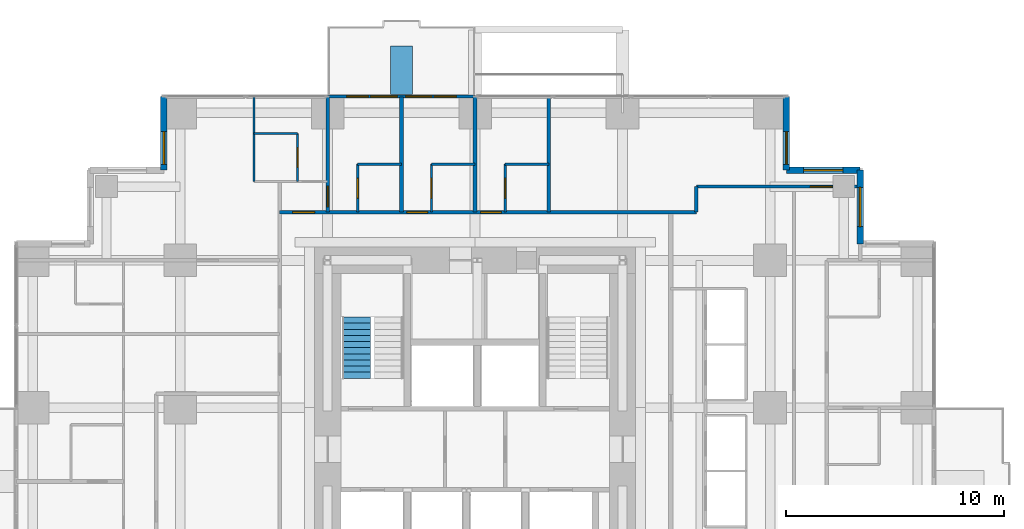
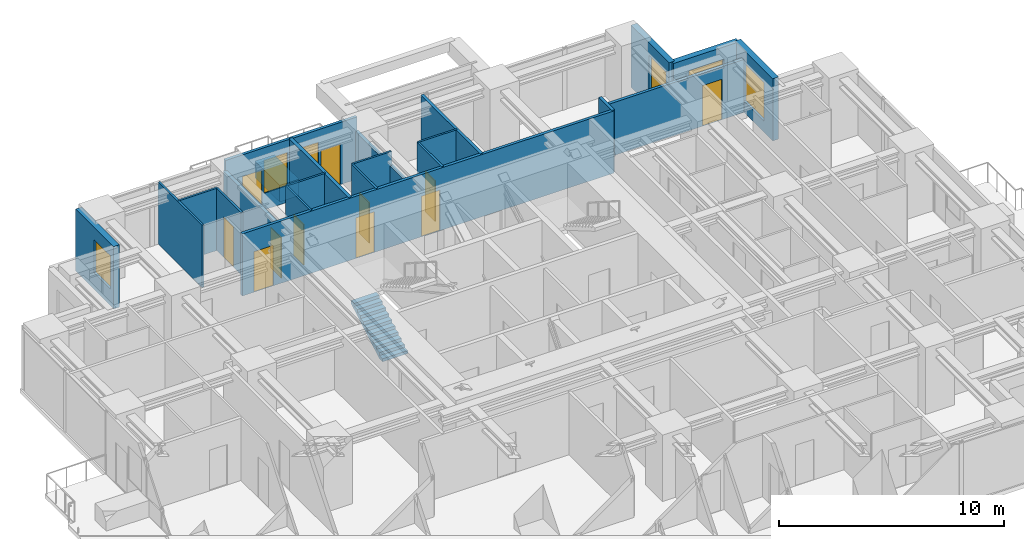
# One storey, part 11 of 13: 22 walls, 11 doors, 6 windows, 1 stair flight, 17 openings, 1 element without a shape of its own.
"""IFC4 building model written with IfcOpenShell, lengths in metres."""

from ifc_helpers import new_model, si_unit, direction, frame, frame_2d, origin, place, context, subcontext, project, spatial, polyline, rectangle, outline, extrude, material, layer, layer_set, type_object, element, fill, aggregate, save


model = new_model("IFC4")

# Units and contexts
model_context = context("Model", 3, precision=1e-05, world=origin(), true_north=direction((0.0, 1.0)))
body_context = subcontext(model_context, "Body", "Model", "MODEL_VIEW")
ifc_project = project(units=[si_unit("LENGTHUNIT", "METRE"), si_unit("AREAUNIT", "SQUARE_METRE"), si_unit("VOLUMEUNIT", "CUBIC_METRE"), si_unit("PLANEANGLEUNIT", "RADIAN"), si_unit("MASSUNIT", "GRAM", prefix="KILO")], contexts=[model_context])

# Site, building, storey
site_placement = place(None, origin())
site = spatial("IfcSite", under=ifc_project, at=site_placement, CompositionType="ELEMENT")
building_placement = place(site_placement, origin())
building = spatial("IfcBuilding", under=site, at=building_placement, Name="Nyansa Garden Tower", CompositionType="ELEMENT")
storey_placement = place(building_placement, frame((0.0, 0.0, 116.10009765625)))
storey = spatial("IfcBuildingStorey", under=building, at=storey_placement, Name="L31", CompositionType="ELEMENT", Elevation=116.10009765625)

# Wall, opening, door
ifc_material_1 = material(Name="Dense blockwork, plastered both sides, 55 dB", Category="masonry")
ifc_layer_1 = layer(ifc_material_1, 0.175048828125)
ifc_layer_set_1 = layer_set([ifc_layer_1], Name="Acoustic party wall PW175")
wall_type_1 = type_object("IfcWallType", Name="Acoustic party wall PW175", PredefinedType="PARTITIONING", material=ifc_layer_set_1)
wall_1_placement = place(storey_placement, frame((13.5, 29.199951171875, 0.0), z_axis=(0.0, 0.0, 1.0), x_axis=(0.0, 1.0, 0.0)))
wall_1 = element("IfcWall", 1, at=wall_1_placement, inside=storey, type_object=wall_type_1, Name="Party wall", PredefinedType="PARTITIONING", context=body_context, shape_type="SweptSolid", body=[
    extrude(rectangle(XDim=5.283935546875, YDim=0.175048828125, at=frame_2d((2.64208984375, 0.0))), origin(), (0.0, 0.0, 1.0), 2.805908203125),
])
opening_1_placement = place(wall_1_placement, frame((0.25, 0.0, 0.0)))
opening_1 = element("IfcOpeningElement", 2, at=opening_1_placement, cuts=wall_1, Name="Opening D14", PredefinedType="OPENING", context=body_context, shape_type="SweptSolid", body=[
    extrude(rectangle(XDim=0.949951171875, YDim=2.199951171875, at=frame_2d((0.47509765625, 1.10009765625))), frame((0.0, 0.097412109375, 0.0), z_axis=(0.0, -1.0, 0.0), x_axis=(1.0, 0.0, 0.0)), (0.0, 0.0, 1.0), 0.195068359375),
])
ifc_material_2 = material(Name="Timber flush door, 60 minute fire resisting, self-closing", Category="wood")
door_type_1 = type_object("IfcDoorType", Name="Studio entrance door D14 950x2200", OperationType="SINGLE_SWING_LEFT", PredefinedType="DOOR", material=ifc_material_2)
door_1_placement = place(opening_1_placement, origin())
door_1 = element("IfcDoor", 3, at=door_1_placement, inside=storey, type_object=door_type_1, Name="Door L31-047", OperationType="SINGLE_SWING_LEFT", OverallHeight=2.199951171875, OverallWidth=0.949951171875, PredefinedType="DOOR", context=body_context, shape_type="SweptSolid", body=[
    extrude(rectangle(XDim=0.949951171875, YDim=2.199951171875, at=frame_2d((0.47509765625, 1.10009765625))), frame((0.0, 0.02490234375, 0.0), z_axis=(0.0, -1.0, 0.0), x_axis=(1.0, 0.0, 0.0)), (0.0, 0.0, 1.0), 0.050048828125),
])
fill(opening_1, door_1)

# Walls
wall_2_placement = place(storey_placement, frame((16.875, 29.199951171875, 0.0), z_axis=(0.0, 0.0, 1.0), x_axis=(0.0, 1.0, 0.0)))
element("IfcWall", 4, at=wall_2_placement, inside=storey, type_object=wall_type_1, Name="Party wall", PredefinedType="PARTITIONING", context=body_context, shape_type="SweptSolid", body=[
    extrude(rectangle(XDim=5.283935546875, YDim=0.175048828125, at=frame_2d((2.64208984375, 0.0))), origin(), (0.0, 0.0, 1.0), 3.375),
])
wall_3_placement = place(storey_placement, frame((20.25, 29.199951171875, 0.0), z_axis=(0.0, 0.0, 1.0), x_axis=(0.0, 1.0, 0.0)))
element("IfcWall", 5, at=wall_3_placement, inside=storey, type_object=wall_type_1, Name="Party wall", PredefinedType="PARTITIONING", context=body_context, shape_type="SweptSolid", body=[
    extrude(rectangle(XDim=5.283935546875, YDim=0.175048828125, at=frame_2d((2.64208984375, 0.0))), origin(), (0.0, 0.0, 1.0), 2.60986328125),
])

# Wall, openings, doors, windows
ifc_material_3 = material(Name="Black aluminium framed glazed screen", Category="aluminium")
ifc_layer_2 = layer(ifc_material_3, 0.14990234375)
ifc_layer_set_2 = layer_set([ifc_layer_2], Name="Balcony screen wall BW150")
wall_type_2 = type_object("IfcWallType", Name="Balcony screen wall BW150", PredefinedType="SOLIDWALL", material=ifc_layer_set_2)
wall_4_placement = place(storey_placement, frame((13.5, 34.5, 0.0), z_axis=(0.0, 0.0, 1.0), x_axis=(1.0, 0.0, 0.0)))
wall_4 = element("IfcWall", 6, at=wall_4_placement, inside=storey, type_object=wall_type_2, Name="Glazed screen wall L31 N", PredefinedType="SOLIDWALL", context=body_context, shape_type="SweptSolid", body=[
    extrude(rectangle(XDim=6.75, YDim=0.14990234375, at=frame_2d((3.375, 0.0))), origin(), (0.0, 0.0, 1.0), 3.375),
])
opening_2_placement = place(wall_4_placement, frame((0.862548828125, 0.0, 0.0)))
opening_2 = element("IfcOpeningElement", 7, at=opening_2_placement, cuts=wall_4, Name="Opening D20", PredefinedType="OPENING", context=body_context, shape_type="SweptSolid", body=[
    extrude(rectangle(XDim=1.0, YDim=2.199951171875, at=frame_2d((0.5, 1.10009765625))), frame((0.0, 0.0849609375, 0.0), z_axis=(0.0, -1.0, 0.0), x_axis=(1.0, 0.0, 0.0)), (0.0, 0.0, 1.0), 0.169921875),
])
opening_3_placement = place(wall_4_placement, frame((1.97509765625, 0.0, 0.89990234375)))
opening_3 = element("IfcOpeningElement", 8, at=opening_3_placement, cuts=wall_4, Name="Opening W6", PredefinedType="OPENING", context=body_context, shape_type="SweptSolid", body=[
    extrude(rectangle(XDim=1.199951171875, YDim=1.800048828125, at=frame_2d((0.60009765625, 0.89990234375))), frame((0.0, 0.0849609375, 0.0), z_axis=(0.0, -1.0, 0.0), x_axis=(1.0, 0.0, 0.0)), (0.0, 0.0, 1.0), 0.169921875),
])
opening_4_placement = place(wall_4_placement, frame((4.887451171875, 0.0, 0.0)))
opening_4 = element("IfcOpeningElement", 9, at=opening_4_placement, cuts=wall_4, Name="Opening D20", PredefinedType="OPENING", context=body_context, shape_type="SweptSolid", body=[
    extrude(rectangle(XDim=1.0, YDim=2.199951171875, at=frame_2d((0.5, 1.10009765625))), frame((0.0, 0.0849609375, 0.0), z_axis=(0.0, -1.0, 0.0), x_axis=(1.0, 0.0, 0.0)), (0.0, 0.0, 1.0), 0.169921875),
])
opening_5_placement = place(wall_4_placement, frame((3.574951171875, 0.0, 0.89990234375)))
opening_5 = element("IfcOpeningElement", 10, at=opening_5_placement, cuts=wall_4, Name="Opening W6", PredefinedType="OPENING", context=body_context, shape_type="SweptSolid", body=[
    extrude(rectangle(XDim=1.199951171875, YDim=1.800048828125, at=frame_2d((0.60009765625, 0.89990234375))), frame((0.0, 0.0849609375, 0.0), z_axis=(0.0, -1.0, 0.0), x_axis=(1.0, 0.0, 0.0)), (0.0, 0.0, 1.0), 0.169921875),
])
ifc_material_4 = material(Name="Black aluminium framed glazed door", Category="aluminium")
door_type_2 = type_object("IfcDoorType", Name="Balcony door D20 1000x2200", OperationType="NOTDEFINED", PredefinedType="DOOR", material=ifc_material_4)
door_2_placement = place(opening_2_placement, origin())
door_2 = element("IfcDoor", 11, at=door_2_placement, inside=storey, type_object=door_type_2, Name="Balcony door L31", OperationType="SINGLE_SWING_LEFT", OverallHeight=2.199951171875, OverallWidth=1.0, PredefinedType="DOOR", context=body_context, shape_type="SweptSolid", body=[
    extrude(rectangle(XDim=1.0, YDim=2.199951171875, at=frame_2d((0.5, 1.10009765625))), frame((0.0, 0.02490234375, 0.0), z_axis=(0.0, -1.0, 0.0), x_axis=(1.0, 0.0, 0.0)), (0.0, 0.0, 1.0), 0.050048828125),
])
fill(opening_2, door_2)
door_3_placement = place(opening_4_placement, origin())
door_3 = element("IfcDoor", 12, at=door_3_placement, inside=storey, type_object=door_type_2, Name="Balcony door L31", OperationType="SINGLE_SWING_RIGHT", OverallHeight=2.199951171875, OverallWidth=1.0, PredefinedType="DOOR", context=body_context, shape_type="SweptSolid", body=[
    extrude(rectangle(XDim=1.0, YDim=2.199951171875, at=frame_2d((0.5, 1.10009765625))), frame((0.0, 0.02490234375, 0.0), z_axis=(0.0, -1.0, 0.0), x_axis=(1.0, 0.0, 0.0)), (0.0, 0.0, 1.0), 0.050048828125),
])
fill(opening_4, door_3)
ifc_material_5 = material(Name="Black aluminium frame, dark tinted double glazing", Category="aluminium")
window_type_1 = type_object("IfcWindowType", Name="Balcony window W6 1200x1800", PartitioningType="SINGLE_PANEL", PredefinedType="WINDOW", material=ifc_material_5)
window_1_placement = place(opening_3_placement, origin())
window_1 = element("IfcWindow", 13, at=window_1_placement, inside=storey, type_object=window_type_1, Name="Window L31", OverallHeight=1.800048828125, OverallWidth=1.199951171875, PartitioningType="SINGLE_PANEL", PredefinedType="WINDOW", context=body_context, shape_type="SweptSolid", body=[
    extrude(rectangle(XDim=1.199951171875, YDim=1.800048828125, at=frame_2d((0.60009765625, 0.89990234375))), frame((0.0, 0.030029296875, 0.0), z_axis=(0.0, -1.0, 0.0), x_axis=(1.0, 0.0, 0.0)), (0.0, 0.0, 1.0), 0.06005859375),
])
fill(opening_3, window_1)
window_2_placement = place(opening_5_placement, origin())
window_2 = element("IfcWindow", 14, at=window_2_placement, inside=storey, type_object=window_type_1, Name="Window L31", OverallHeight=1.800048828125, OverallWidth=1.199951171875, PartitioningType="SINGLE_PANEL", PredefinedType="WINDOW", context=body_context, shape_type="SweptSolid", body=[
    extrude(rectangle(XDim=1.199951171875, YDim=1.800048828125, at=frame_2d((0.60009765625, 0.89990234375))), frame((0.0, 0.030029296875, 0.0), z_axis=(0.0, -1.0, 0.0), x_axis=(1.0, 0.0, 0.0)), (0.0, 0.0, 1.0), 0.06005859375),
])
fill(opening_5, window_2)

# Wall, openings, doors
ifc_material_6 = material(Name="Blockwork, plastered both sides", Category="masonry")
ifc_layer_3 = layer(ifc_material_6, 0.14990234375)
ifc_layer_set_3 = layer_set([ifc_layer_3], Name="Partition PW150")
wall_type_3 = type_object("IfcWallType", Name="Partition PW150", PredefinedType="PARTITIONING", material=ifc_layer_set_3)
wall_5_placement = place(storey_placement, frame((11.300048828125, 29.199951171875, 0.0), z_axis=(0.0, 0.0, 1.0), x_axis=(1.0, 0.0, 0.0)))
wall_5 = element("IfcWall", 15, at=wall_5_placement, inside=storey, type_object=wall_type_3, Name="Partition", PredefinedType="PARTITIONING", context=body_context, shape_type="SweptSolid", body=[
    extrude(rectangle(XDim=19.074951171875, YDim=0.14990234375, at=frame_2d((9.53759765625, 0.0))), origin(), (0.0, 0.0, 1.0), 3.375),
])
opening_6_placement = place(wall_5_placement, frame((5.824951171875, 0.0, 0.0)))
opening_6 = element("IfcOpeningElement", 16, at=opening_6_placement, cuts=wall_5, Name="Opening D14", PredefinedType="OPENING", context=body_context, shape_type="SweptSolid", body=[
    extrude(rectangle(XDim=0.949951171875, YDim=2.199951171875, at=frame_2d((0.47509765625, 1.10009765625))), frame((0.0, 0.0849609375, 0.0), z_axis=(0.0, -1.0, 0.0), x_axis=(1.0, 0.0, 0.0)), (0.0, 0.0, 1.0), 0.169921875),
])
opening_7_placement = place(wall_5_placement, frame((9.199951171875, 0.0, 0.0)))
opening_7 = element("IfcOpeningElement", 17, at=opening_7_placement, cuts=wall_5, Name="Opening D14", PredefinedType="OPENING", context=body_context, shape_type="SweptSolid", body=[
    extrude(rectangle(XDim=0.949951171875, YDim=2.199951171875, at=frame_2d((0.47509765625, 1.10009765625))), frame((0.0, 0.0849609375, 0.0), z_axis=(0.0, -1.0, 0.0), x_axis=(1.0, 0.0, 0.0)), (0.0, 0.0, 1.0), 0.169921875),
])
opening_8_placement = place(wall_5_placement, frame((0.60009765625, 0.0, 0.0)))
opening_8 = element("IfcOpeningElement", 18, at=opening_8_placement, cuts=wall_5, Name="Opening D03", PredefinedType="OPENING", context=body_context, shape_type="SweptSolid", body=[
    extrude(rectangle(XDim=1.0, YDim=2.199951171875, at=frame_2d((0.5, 1.10009765625))), frame((0.0, 0.0849609375, 0.0), z_axis=(0.0, -1.0, 0.0), x_axis=(1.0, 0.0, 0.0)), (0.0, 0.0, 1.0), 0.169921875),
])
ifc_material_7 = material(Name="Timber flush door, 60 minute fire resisting", Category="wood")
door_type_3 = type_object("IfcDoorType", Name="Cluster entrance door D03 1000x2200", OperationType="SINGLE_SWING_LEFT", PredefinedType="DOOR", material=ifc_material_7)
door_4_placement = place(opening_8_placement, origin())
door_4 = element("IfcDoor", 19, at=door_4_placement, inside=storey, type_object=door_type_3, Name="Door L31-053", OperationType="SINGLE_SWING_LEFT", OverallHeight=2.199951171875, OverallWidth=1.0, PredefinedType="DOOR", context=body_context, shape_type="SweptSolid", body=[
    extrude(rectangle(XDim=1.0, YDim=2.199951171875, at=frame_2d((0.5, 1.10009765625))), frame((0.0, 0.02490234375, 0.0), z_axis=(0.0, -1.0, 0.0), x_axis=(1.0, 0.0, 0.0)), (0.0, 0.0, 1.0), 0.050048828125),
])
fill(opening_8, door_4)
door_5_placement = place(opening_6_placement, origin())
door_5 = element("IfcDoor", 20, at=door_5_placement, inside=storey, type_object=door_type_1, Name="Door L31-049", OperationType="SINGLE_SWING_LEFT", OverallHeight=2.199951171875, OverallWidth=0.949951171875, PredefinedType="DOOR", context=body_context, shape_type="SweptSolid", body=[
    extrude(rectangle(XDim=0.949951171875, YDim=2.199951171875, at=frame_2d((0.47509765625, 1.10009765625))), frame((0.0, 0.02490234375, 0.0), z_axis=(0.0, -1.0, 0.0), x_axis=(1.0, 0.0, 0.0)), (0.0, 0.0, 1.0), 0.050048828125),
])
fill(opening_6, door_5)
door_6_placement = place(opening_7_placement, origin())
door_6 = element("IfcDoor", 21, at=door_6_placement, inside=storey, type_object=door_type_1, Name="Door L31-051", OperationType="SINGLE_SWING_LEFT", OverallHeight=2.199951171875, OverallWidth=0.949951171875, PredefinedType="DOOR", context=body_context, shape_type="SweptSolid", body=[
    extrude(rectangle(XDim=0.949951171875, YDim=2.199951171875, at=frame_2d((0.47509765625, 1.10009765625))), frame((0.0, 0.02490234375, 0.0), z_axis=(0.0, -1.0, 0.0), x_axis=(1.0, 0.0, 0.0)), (0.0, 0.0, 1.0), 0.050048828125),
])
fill(opening_7, door_6)

# Walls
wall_6_placement = place(storey_placement, frame((23.625, 29.199951171875, 0.0), z_axis=(0.0, 0.0, 1.0), x_axis=(0.0, 1.0, 0.0)))
element("IfcWall", 22, at=wall_6_placement, inside=storey, type_object=wall_type_3, Name="Partition", PredefinedType="PARTITIONING", context=body_context, shape_type="SweptSolid", body=[
    extrude(rectangle(XDim=5.283935546875, YDim=0.14990234375, at=frame_2d((2.64208984375, 0.0))), origin(), (0.0, 0.0, 1.0), 3.375),
])
wall_7_placement = place(storey_placement, frame((30.375, 29.199951171875, 0.0), z_axis=(0.0, 0.0, 1.0), x_axis=(0.0, 1.0, 0.0)))
element("IfcWall", 23, at=wall_7_placement, inside=storey, type_object=wall_type_3, Name="Partition", PredefinedType="PARTITIONING", context=body_context, shape_type="SweptSolid", body=[
    extrude(rectangle(XDim=1.175048828125, YDim=0.14990234375, at=frame_2d((0.58740234375, 0.0))), origin(), (0.0, 0.0, 1.0), 3.375),
])

# Wall, opening, door
wall_8_placement = place(storey_placement, frame((30.375, 30.375, 0.0), z_axis=(0.0, 0.0, 1.0), x_axis=(1.0, 0.0, 0.0)))
wall_8 = element("IfcWall", 24, at=wall_8_placement, inside=storey, type_object=wall_type_3, Name="Partition", PredefinedType="PARTITIONING", context=body_context, shape_type="SweptSolid", body=[
    extrude(rectangle(XDim=7.35009765625, YDim=0.14990234375, at=frame_2d((3.675048828125, 0.0))), origin(), (0.0, 0.0, 1.0), 2.876953125),
])
opening_9_placement = place(wall_8_placement, frame((5.22509765625, 0.0, 0.0)))
opening_9 = element("IfcOpeningElement", 25, at=opening_9_placement, cuts=wall_8, Name="Opening D03", PredefinedType="OPENING", context=body_context, shape_type="SweptSolid", body=[
    extrude(rectangle(XDim=1.0, YDim=2.199951171875, at=frame_2d((0.5, 1.10009765625))), frame((0.0, 0.0849609375, 0.0), z_axis=(0.0, -1.0, 0.0), x_axis=(1.0, 0.0, 0.0)), (0.0, 0.0, 1.0), 0.169921875),
])
door_7_placement = place(opening_9_placement, origin())
door_7 = element("IfcDoor", 26, at=door_7_placement, inside=storey, type_object=door_type_3, Name="Door L31-044", OperationType="SINGLE_SWING_LEFT", OverallHeight=2.199951171875, OverallWidth=1.0, PredefinedType="DOOR", context=body_context, shape_type="SweptSolid", body=[
    extrude(rectangle(XDim=1.0, YDim=2.199951171875, at=frame_2d((0.5, 1.10009765625))), frame((0.0, 0.02490234375, 0.0), z_axis=(0.0, -1.0, 0.0), x_axis=(1.0, 0.0, 0.0)), (0.0, 0.0, 1.0), 0.050048828125),
])
fill(opening_9, door_7)

# Wall, opening, window
ifc_material_8 = material(Name="Turquoise glazed tile on concrete blockwork", Category="masonry")
ifc_layer_4 = layer(ifc_material_8, 0.300048828125)
ifc_layer_set_4 = layer_set([ifc_layer_4], Name="Tiled corner wall TW300")
wall_type_4 = type_object("IfcWallType", Name="Tiled corner wall TW300", PredefinedType="SOLIDWALL", material=ifc_layer_set_4)
wall_9_placement = place(storey_placement, frame((37.875, 27.75, 0.0), z_axis=(0.0, 0.0, 1.0), x_axis=(0.0, 1.0, 0.0)))
wall_9 = element("IfcWall", 27, at=wall_9_placement, inside=storey, type_object=wall_type_4, Name="Tiled corner wall L31", PredefinedType="SOLIDWALL", context=body_context, shape_type="SweptSolid", body=[
    extrude(rectangle(XDim=3.375, YDim=0.300048828125, at=frame_2d((1.6875, 0.0))), origin(), (0.0, 0.0, 1.0), 3.375),
])
opening_10_placement = place(wall_9_placement, frame((0.78759765625, 0.0, 0.60009765625)))
opening_10 = element("IfcOpeningElement", 28, at=opening_10_placement, cuts=wall_9, Name="Opening W2", PredefinedType="OPENING", context=body_context, shape_type="SweptSolid", body=[
    extrude(rectangle(XDim=1.800048828125, YDim=2.10009765625, at=frame_2d((0.89990234375, 1.050048828125))), frame((0.0, 0.159912109375, 0.0), z_axis=(0.0, -1.0, 0.0), x_axis=(1.0, 0.0, 0.0)), (0.0, 0.0, 1.0), 0.320068359375),
])
ifc_material_9 = material(Name="Black aluminium frame, dark tinted double glazing", Category="aluminium")
window_type_2 = type_object("IfcWindowType", Name="Window W2 1800x2100", PartitioningType="SINGLE_PANEL", PredefinedType="WINDOW", material=ifc_material_9)
window_3_placement = place(opening_10_placement, origin())
window_3 = element("IfcWindow", 29, at=window_3_placement, inside=storey, type_object=window_type_2, Name="Corner window L31", OverallHeight=2.10009765625, OverallWidth=1.800048828125, PartitioningType="SINGLE_PANEL", PredefinedType="WINDOW", context=body_context, shape_type="SweptSolid", body=[
    extrude(rectangle(XDim=1.800048828125, YDim=2.10009765625, at=frame_2d((0.89990234375, 1.050048828125))), frame((0.0, 0.030029296875, 0.0), z_axis=(0.0, -1.0, 0.0), x_axis=(1.0, 0.0, 0.0)), (0.0, 0.0, 1.0), 0.06005859375),
])
fill(opening_10, window_3)

wall_10_placement = place(storey_placement, frame((37.875, 31.125, 0.0), z_axis=(0.0, 0.0, 1.0), x_axis=(-1.0, 0.0, 0.0)))
wall_10 = element("IfcWall", 30, at=wall_10_placement, inside=storey, type_object=wall_type_4, Name="Tiled corner wall L31", PredefinedType="SOLIDWALL", context=body_context, shape_type="SweptSolid", body=[
    extrude(rectangle(XDim=3.375, YDim=0.300048828125, at=frame_2d((1.6875, 0.0))), origin(), (0.0, 0.0, 1.0), 3.375),
])
opening_11_placement = place(wall_10_placement, frame((0.78759765625, 0.0, 0.60009765625)))
opening_11 = element("IfcOpeningElement", 31, at=opening_11_placement, cuts=wall_10, Name="Opening W2", PredefinedType="OPENING", context=body_context, shape_type="SweptSolid", body=[
    extrude(rectangle(XDim=1.800048828125, YDim=2.10009765625, at=frame_2d((0.89990234375, 1.050048828125))), frame((0.0, 0.159912109375, 0.0), z_axis=(0.0, -1.0, 0.0), x_axis=(1.0, 0.0, 0.0)), (0.0, 0.0, 1.0), 0.320068359375),
])
window_4_placement = place(opening_11_placement, origin())
window_4 = element("IfcWindow", 32, at=window_4_placement, inside=storey, type_object=window_type_2, Name="Corner window L31", OverallHeight=2.10009765625, OverallWidth=1.800048828125, PartitioningType="SINGLE_PANEL", PredefinedType="WINDOW", context=body_context, shape_type="SweptSolid", body=[
    extrude(rectangle(XDim=1.800048828125, YDim=2.10009765625, at=frame_2d((0.89990234375, 1.050048828125))), frame((0.0, 0.030029296875, 0.0), z_axis=(0.0, -1.0, 0.0), x_axis=(1.0, 0.0, 0.0)), (0.0, 0.0, 1.0), 0.06005859375),
])
fill(opening_11, window_4)

wall_11_placement = place(storey_placement, frame((34.5, 31.125, 0.0), z_axis=(0.0, 0.0, 1.0), x_axis=(0.0, 1.0, 0.0)))
wall_11 = element("IfcWall", 33, at=wall_11_placement, inside=storey, type_object=wall_type_4, Name="Tiled corner wall L31", PredefinedType="SOLIDWALL", context=body_context, shape_type="SweptSolid", body=[
    extrude(rectangle(XDim=3.375, YDim=0.300048828125, at=frame_2d((1.6875, 0.0))), origin(), (0.0, 0.0, 1.0), 3.375),
])
opening_12_placement = place(wall_11_placement, frame((0.267578125, 0.0, 0.89990234375)))
opening_12 = element("IfcOpeningElement", 34, at=opening_12_placement, cuts=wall_11, Name="Opening W1", PredefinedType="OPENING", context=body_context, shape_type="SweptSolid", body=[
    extrude(rectangle(XDim=1.5, YDim=1.800048828125, at=frame_2d((0.75, 0.89990234375))), frame((0.0, 0.159912109375, 0.0), z_axis=(0.0, -1.0, 0.0), x_axis=(1.0, 0.0, 0.0)), (0.0, 0.0, 1.0), 0.320068359375),
])
ifc_material_10 = material(Name="Black aluminium frame, dark tinted double glazing", Category="aluminium")
window_type_3 = type_object("IfcWindowType", Name="Window W1 1500x1800", PartitioningType="SINGLE_PANEL", PredefinedType="WINDOW", material=ifc_material_10)
window_5_placement = place(opening_12_placement, origin())
window_5 = element("IfcWindow", 35, at=window_5_placement, inside=storey, type_object=window_type_3, Name="Corner window L31", OverallHeight=1.800048828125, OverallWidth=1.5, PartitioningType="SINGLE_PANEL", PredefinedType="WINDOW", context=body_context, shape_type="SweptSolid", body=[
    extrude(rectangle(XDim=1.5, YDim=1.800048828125, at=frame_2d((0.75, 0.89990234375))), frame((0.0, 0.030029296875, 0.0), z_axis=(0.0, -1.0, 0.0), x_axis=(1.0, 0.0, 0.0)), (0.0, 0.0, 1.0), 0.06005859375),
])
fill(opening_12, window_5)

wall_12_placement = place(storey_placement, frame((6.0, 34.5, 0.0), z_axis=(0.0, 0.0, 1.0), x_axis=(0.0, -1.0, 0.0)))
wall_12 = element("IfcWall", 36, at=wall_12_placement, inside=storey, type_object=wall_type_4, Name="Tiled corner wall L31", PredefinedType="SOLIDWALL", context=body_context, shape_type="SweptSolid", body=[
    extrude(rectangle(XDim=3.375, YDim=0.300048828125, at=frame_2d((1.6875, 0.0))), origin(), (0.0, 0.0, 1.0), 3.375),
])
opening_13_placement = place(wall_12_placement, frame((1.607421875, 0.0, 0.89990234375)))
opening_13 = element("IfcOpeningElement", 37, at=opening_13_placement, cuts=wall_12, Name="Opening W1", PredefinedType="OPENING", context=body_context, shape_type="SweptSolid", body=[
    extrude(rectangle(XDim=1.5, YDim=1.800048828125, at=frame_2d((0.75, 0.89990234375))), frame((0.0, 0.159912109375, 0.0), z_axis=(0.0, -1.0, 0.0), x_axis=(1.0, 0.0, 0.0)), (0.0, 0.0, 1.0), 0.320068359375),
])
window_6_placement = place(opening_13_placement, origin())
window_6 = element("IfcWindow", 38, at=window_6_placement, inside=storey, type_object=window_type_3, Name="Corner window L31", OverallHeight=1.800048828125, OverallWidth=1.5, PartitioningType="SINGLE_PANEL", PredefinedType="WINDOW", context=body_context, shape_type="SweptSolid", body=[
    extrude(rectangle(XDim=1.5, YDim=1.800048828125, at=frame_2d((0.75, 0.89990234375))), frame((0.0, 0.030029296875, 0.0), z_axis=(0.0, -1.0, 0.0), x_axis=(1.0, 0.0, 0.0)), (0.0, 0.0, 1.0), 0.06005859375),
])
fill(opening_13, window_6)

# Walls
ifc_material_11 = material(Name="Concrete C40/50 planter, waterproofed", Category="concrete")
ifc_layer_5 = layer(ifc_material_11, 1.0)
ifc_layer_set_5 = layer_set([ifc_layer_5], Name="Tree planter TP1")
wall_type_5 = type_object("IfcWallType", Name="Tree planter TP1", PredefinedType="USERDEFINED", material=ifc_layer_set_5)
wall_13_placement = place(storey_placement, frame((16.875, 34.60009765625, 0.0), z_axis=(0.0, 0.0, 1.0), x_axis=(0.0, 1.0, 0.0)))
element("IfcWall", 39, at=wall_13_placement, inside=storey, type_object=wall_type_5, Name="Tree planter L31", ObjectType="TREE PLANTER", PredefinedType="USERDEFINED", context=body_context, shape_type="SweptSolid", body=[
    extrude(rectangle(XDim=2.199951171875, YDim=1.0, at=frame_2d((1.10009765625, 0.0))), origin(), (0.0, 0.0, 1.0), 0.89990234375),
])
ifc_material_12 = material(Name="Moisture resistant board on steel studs, tiled", Category="steel")
ifc_layer_6 = layer(ifc_material_12, 0.10009765625)
ifc_layer_set_6 = layer_set([ifc_layer_6], Name="Wet wall PW100")
wall_type_6 = type_object("IfcWallType", Name="Wet wall PW100", PredefinedType="PARTITIONING", material=ifc_layer_set_6)
wall_14_placement = place(storey_placement, frame((10.125, 30.60009765625, 0.0), z_axis=(0.0, 0.0, 1.0), x_axis=(0.0, 1.0, 0.0)))
element("IfcWall", 40, at=wall_14_placement, inside=storey, type_object=wall_type_6, Name="Wet wall", PredefinedType="PARTITIONING", context=body_context, shape_type="SweptSolid", body=[
    extrude(rectangle(XDim=3.8837890625, YDim=0.10009765625, at=frame_2d((1.94189453125, 0.0))), origin(), (0.0, 0.0, 1.0), 3.375),
])
wall_15_placement = place(storey_placement, frame((10.125, 32.800048828125, 0.0), z_axis=(0.0, 0.0, 1.0), x_axis=(1.0, 0.0, 0.0)))
element("IfcWall", 41, at=wall_15_placement, inside=storey, type_object=wall_type_6, Name="Wet wall", PredefinedType="PARTITIONING", context=body_context, shape_type="SweptSolid", body=[
    extrude(rectangle(XDim=2.0, YDim=0.10009765625, at=frame_2d((1.0, 0.0))), origin(), (0.0, 0.0, 1.0), 3.375),
])

# Wall, opening, door
wall_16_placement = place(storey_placement, frame((12.125, 30.60009765625, 0.0), z_axis=(0.0, 0.0, 1.0), x_axis=(0.0, 1.0, 0.0)))
wall_16 = element("IfcWall", 42, at=wall_16_placement, inside=storey, type_object=wall_type_6, Name="Wet wall", PredefinedType="PARTITIONING", context=body_context, shape_type="SweptSolid", body=[
    extrude(rectangle(XDim=2.199951171875, YDim=0.10009765625, at=frame_2d((1.10009765625, 0.0))), origin(), (0.0, 0.0, 1.0), 3.375),
])
opening_14_placement = place(wall_16_placement, frame((0.64990234375, 0.0, 0.0)))
opening_14 = element("IfcOpeningElement", 43, at=opening_14_placement, cuts=wall_16, Name="Opening D02", PredefinedType="OPENING", context=body_context, shape_type="SweptSolid", body=[
    extrude(rectangle(XDim=0.89990234375, YDim=2.199951171875, at=frame_2d((0.449951171875, 1.10009765625))), frame((0.0, 0.06005859375, 0.0), z_axis=(0.0, -1.0, 0.0), x_axis=(1.0, 0.0, 0.0)), (0.0, 0.0, 1.0), 0.1201171875),
])
ifc_material_13 = material(Name="Timber flush door", Category="wood")
door_type_4 = type_object("IfcDoorType", Name="En-suite door D02 900x2200", OperationType="SINGLE_SWING_RIGHT", PredefinedType="DOOR", material=ifc_material_13)
door_8_placement = place(opening_14_placement, origin())
door_8 = element("IfcDoor", 44, at=door_8_placement, inside=storey, type_object=door_type_4, Name="Door L31-046", OperationType="SINGLE_SWING_RIGHT", OverallHeight=2.199951171875, OverallWidth=0.89990234375, PredefinedType="DOOR", context=body_context, shape_type="SweptSolid", body=[
    extrude(rectangle(XDim=0.89990234375, YDim=2.199951171875, at=frame_2d((0.449951171875, 1.10009765625))), frame((0.0, 0.02490234375, 0.0), z_axis=(0.0, -1.0, 0.0), x_axis=(1.0, 0.0, 0.0)), (0.0, 0.0, 1.0), 0.050048828125),
])
fill(opening_14, door_8)

wall_17_placement = place(storey_placement, frame((14.875, 29.199951171875, 0.0), z_axis=(0.0, 0.0, 1.0), x_axis=(0.0, 1.0, 0.0)))
wall_17 = element("IfcWall", 45, at=wall_17_placement, inside=storey, type_object=wall_type_6, Name="Wet wall", PredefinedType="PARTITIONING", context=body_context, shape_type="SweptSolid", body=[
    extrude(rectangle(XDim=2.199951171875, YDim=0.10009765625, at=frame_2d((1.10009765625, 0.0))), origin(), (0.0, 0.0, 1.0), 3.375),
])
opening_15_placement = place(wall_17_placement, frame((0.64990234375, 0.0, 0.0)))
opening_15 = element("IfcOpeningElement", 46, at=opening_15_placement, cuts=wall_17, Name="Opening D02", PredefinedType="OPENING", context=body_context, shape_type="SweptSolid", body=[
    extrude(rectangle(XDim=0.89990234375, YDim=2.199951171875, at=frame_2d((0.449951171875, 1.10009765625))), frame((0.0, 0.06005859375, 0.0), z_axis=(0.0, -1.0, 0.0), x_axis=(1.0, 0.0, 0.0)), (0.0, 0.0, 1.0), 0.1201171875),
])
door_9_placement = place(opening_15_placement, origin())
door_9 = element("IfcDoor", 47, at=door_9_placement, inside=storey, type_object=door_type_4, Name="Door L31-048", OperationType="SINGLE_SWING_RIGHT", OverallHeight=2.199951171875, OverallWidth=0.89990234375, PredefinedType="DOOR", context=body_context, shape_type="SweptSolid", body=[
    extrude(rectangle(XDim=0.89990234375, YDim=2.199951171875, at=frame_2d((0.449951171875, 1.10009765625))), frame((0.0, 0.02490234375, 0.0), z_axis=(0.0, -1.0, 0.0), x_axis=(1.0, 0.0, 0.0)), (0.0, 0.0, 1.0), 0.050048828125),
])
fill(opening_15, door_9)

# Wall
wall_18_placement = place(storey_placement, frame((14.875, 31.39990234375, 0.0), z_axis=(0.0, 0.0, 1.0), x_axis=(1.0, 0.0, 0.0)))
element("IfcWall", 48, at=wall_18_placement, inside=storey, type_object=wall_type_6, Name="Wet wall", PredefinedType="PARTITIONING", context=body_context, shape_type="SweptSolid", body=[
    extrude(rectangle(XDim=2.0, YDim=0.10009765625, at=frame_2d((1.0, 0.0))), origin(), (0.0, 0.0, 1.0), 3.375),
])

# Wall, opening, door
wall_19_placement = place(storey_placement, frame((18.25, 29.199951171875, 0.0), z_axis=(0.0, 0.0, 1.0), x_axis=(0.0, 1.0, 0.0)))
wall_19 = element("IfcWall", 49, at=wall_19_placement, inside=storey, type_object=wall_type_6, Name="Wet wall", PredefinedType="PARTITIONING", context=body_context, shape_type="SweptSolid", body=[
    extrude(rectangle(XDim=2.199951171875, YDim=0.10009765625, at=frame_2d((1.10009765625, 0.0))), origin(), (0.0, 0.0, 1.0), 3.375),
])
opening_16_placement = place(wall_19_placement, frame((0.64990234375, 0.0, 0.0)))
opening_16 = element("IfcOpeningElement", 50, at=opening_16_placement, cuts=wall_19, Name="Opening D02", PredefinedType="OPENING", context=body_context, shape_type="SweptSolid", body=[
    extrude(rectangle(XDim=0.89990234375, YDim=2.199951171875, at=frame_2d((0.449951171875, 1.10009765625))), frame((0.0, 0.06005859375, 0.0), z_axis=(0.0, -1.0, 0.0), x_axis=(1.0, 0.0, 0.0)), (0.0, 0.0, 1.0), 0.1201171875),
])
door_10_placement = place(opening_16_placement, origin())
door_10 = element("IfcDoor", 51, at=door_10_placement, inside=storey, type_object=door_type_4, Name="Door L31-050", OperationType="SINGLE_SWING_RIGHT", OverallHeight=2.199951171875, OverallWidth=0.89990234375, PredefinedType="DOOR", context=body_context, shape_type="SweptSolid", body=[
    extrude(rectangle(XDim=0.89990234375, YDim=2.199951171875, at=frame_2d((0.449951171875, 1.10009765625))), frame((0.0, 0.02490234375, 0.0), z_axis=(0.0, -1.0, 0.0), x_axis=(1.0, 0.0, 0.0)), (0.0, 0.0, 1.0), 0.050048828125),
])
fill(opening_16, door_10)

# Wall
wall_20_placement = place(storey_placement, frame((18.25, 31.39990234375, 0.0), z_axis=(0.0, 0.0, 1.0), x_axis=(1.0, 0.0, 0.0)))
element("IfcWall", 52, at=wall_20_placement, inside=storey, type_object=wall_type_6, Name="Wet wall", PredefinedType="PARTITIONING", context=body_context, shape_type="SweptSolid", body=[
    extrude(rectangle(XDim=2.0, YDim=0.10009765625, at=frame_2d((1.0, 0.0))), origin(), (0.0, 0.0, 1.0), 3.375),
])

# Wall, opening, door
wall_21_placement = place(storey_placement, frame((21.625, 29.199951171875, 0.0), z_axis=(0.0, 0.0, 1.0), x_axis=(0.0, 1.0, 0.0)))
wall_21 = element("IfcWall", 53, at=wall_21_placement, inside=storey, type_object=wall_type_6, Name="Wet wall", PredefinedType="PARTITIONING", context=body_context, shape_type="SweptSolid", body=[
    extrude(rectangle(XDim=2.199951171875, YDim=0.10009765625, at=frame_2d((1.10009765625, 0.0))), origin(), (0.0, 0.0, 1.0), 3.375),
])
opening_17_placement = place(wall_21_placement, frame((0.64990234375, 0.0, 0.0)))
opening_17 = element("IfcOpeningElement", 54, at=opening_17_placement, cuts=wall_21, Name="Opening D02", PredefinedType="OPENING", context=body_context, shape_type="SweptSolid", body=[
    extrude(rectangle(XDim=0.89990234375, YDim=2.199951171875, at=frame_2d((0.449951171875, 1.10009765625))), frame((0.0, 0.06005859375, 0.0), z_axis=(0.0, -1.0, 0.0), x_axis=(1.0, 0.0, 0.0)), (0.0, 0.0, 1.0), 0.1201171875),
])
door_11_placement = place(opening_17_placement, origin())
door_11 = element("IfcDoor", 55, at=door_11_placement, inside=storey, type_object=door_type_4, Name="Door L31-052", OperationType="SINGLE_SWING_RIGHT", OverallHeight=2.199951171875, OverallWidth=0.89990234375, PredefinedType="DOOR", context=body_context, shape_type="SweptSolid", body=[
    extrude(rectangle(XDim=0.89990234375, YDim=2.199951171875, at=frame_2d((0.449951171875, 1.10009765625))), frame((0.0, 0.02490234375, 0.0), z_axis=(0.0, -1.0, 0.0), x_axis=(1.0, 0.0, 0.0)), (0.0, 0.0, 1.0), 0.050048828125),
])
fill(opening_17, door_11)

# Wall
wall_22_placement = place(storey_placement, frame((21.625, 31.39990234375, 0.0), z_axis=(0.0, 0.0, 1.0), x_axis=(1.0, 0.0, 0.0)))
element("IfcWall", 56, at=wall_22_placement, inside=storey, type_object=wall_type_6, Name="Wet wall", PredefinedType="PARTITIONING", context=body_context, shape_type="SweptSolid", body=[
    extrude(rectangle(XDim=2.0, YDim=0.10009765625, at=frame_2d((1.0, 0.0))), origin(), (0.0, 0.0, 1.0), 3.375),
])

# Stair, stair flight
ifc_material_14 = material(Name="Precast concrete C40/50", Category="concrete")
stair_type = type_object("IfcStairType", Name="Stair S1 164x280", PredefinedType="HALF_TURN_STAIR", material=ifc_material_14)
stair_placement = place(storey_placement, origin())
stair = element("IfcStair", 57, at=stair_placement, inside=storey, type_object=stair_type, Name="Stair S1 L31", PredefinedType="HALF_TURN_STAIR")
ifc_material_15 = material(Name="Precast concrete C40/50", Category="concrete")
stair_flight_type = type_object("IfcStairFlightType", Name="Stair flight S1 164x280x11", PredefinedType="STRAIGHT", material=ifc_material_15)
stair_flight_placement = place(storey_placement, frame((14.800048828125, 21.60009765625, 0.0), z_axis=(0.0, 0.0, 1.0), x_axis=(0.0, 1.0, 0.0)))
stair_flight = element("IfcStairFlight", 58, at=stair_flight_placement, type_object=stair_flight_type, Name="S1 flight 1", NumberOfRisers=11, NumberOfTreads=10, PredefinedType="STRAIGHT", RiserHeight=0.163636364, TreadLength=0.28, context=body_context, shape_type="SweptSolid", body=[
    extrude(outline(polyline([(0.0, 0.0), (0.0, 0.16357421875), (0.280029296875, 0.16357421875), (0.280029296875, 0.327392578125), (0.56005859375, 0.327392578125), (0.56005859375, 0.490966796875), (0.840087890625, 0.490966796875), (0.840087890625, 0.654541015625), (1.1201171875, 0.654541015625), (1.1201171875, 0.818115234375), (1.39990234375, 0.818115234375), (1.39990234375, 0.98193359375), (1.679931640625, 0.98193359375), (1.679931640625, 1.1455078125), (1.9599609375, 1.1455078125), (1.9599609375, 1.30908203125), (2.239990234375, 1.30908203125), (2.239990234375, 1.47265625), (2.52001953125, 1.47265625), (2.52001953125, 1.636474609375), (2.800048828125, 1.636474609375), (2.800048828125, 1.800048828125), (2.800048828125, 1.462646484375), (0.297119140625, 0.0), (0.0, 0.0)])), frame((0.0, 0.64990234375, 0.0), z_axis=(0.0, -1.0, 0.0), x_axis=(1.0, 0.0, 0.0)), (0.0, 0.0, 1.0), 1.300048828125),
])
aggregate(stair, [stair_flight])

save(model, "model.ifc")
